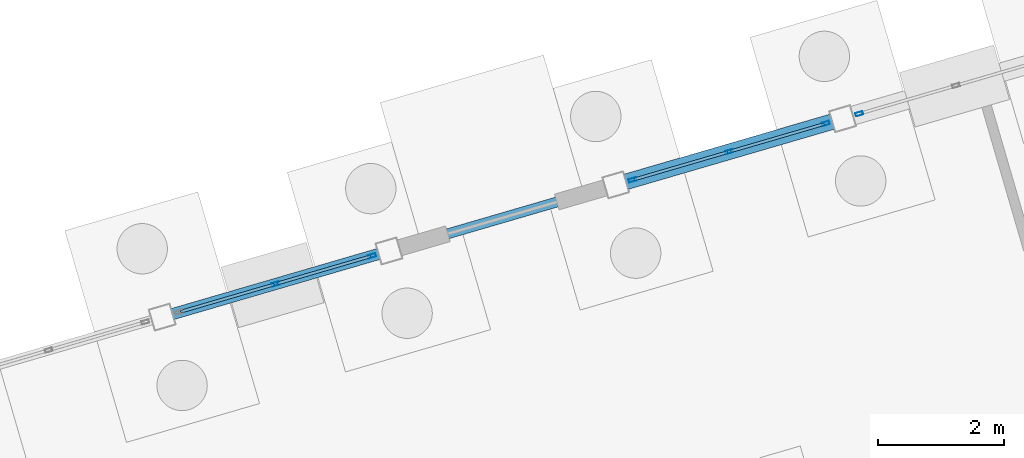
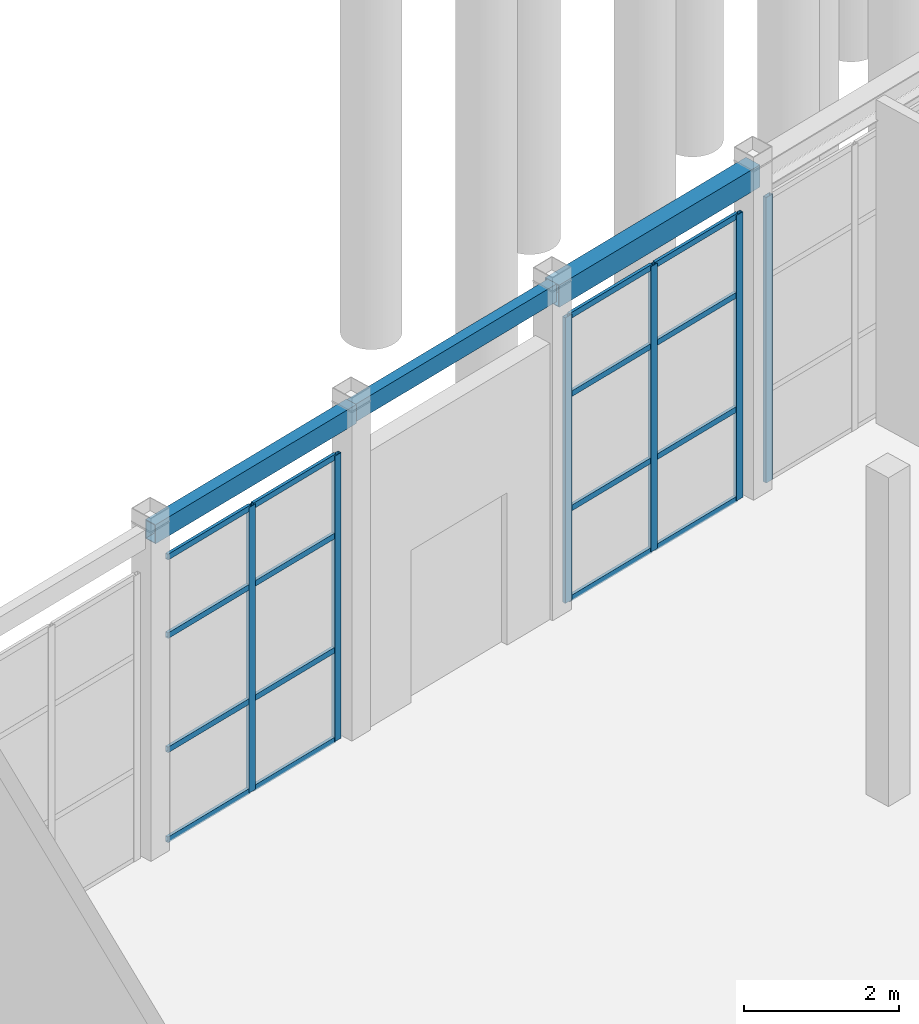
# One storey, part 42 of 90: 22 members, 3 beams, 3 elements without a shape of their own.
"""IFC4 building model written with IfcOpenShell, lengths in metres."""

import ifcopenshell
import ifcopenshell.guid

model = None  # the IFC model being written
_history = None  # IfcOwnerHistory: only IFC2X3 demands one
_inside = {}  # id of a spatial element -> (the spatial element, [elements in it])
_under = {}  # id of a project, library or spatial element -> (it, [spatial elements below it])
_declared = {}  # id of a project -> (the project, [libraries it declares])
_typed = {}  # id of a type object -> (the type object, [elements of that type])
_made_of = {}  # id of a material, layer set ... -> (it, [elements and type objects made of it])


def new_model(schema):
    """Start an empty IFC model of exactly this schema.

    Asked for "IFC4X3", IfcOpenShell would pick the latest addendum, in which some entities
    have other attributes; the version numbers below select the first issue.
    IFC2X3 requires an IfcOwnerHistory on every rooted entity: one is made here for all.
    """
    global model, _history
    if schema == "IFC4X3":
        model = ifcopenshell.file(schema_version=(4, 3, 0, 0))
    else:
        model = ifcopenshell.file(schema=schema)
    _inside.clear()
    _under.clear()
    _declared.clear()
    _typed.clear()
    _made_of.clear()
    _history = None
    if model.schema == "IFC2X3":
        org = make("IfcOrganization", Name="unknown")
        user = make(
            "IfcPersonAndOrganization",
            ThePerson=make("IfcPerson", FamilyName="unknown"),
            TheOrganization=org,
        )
        app = make(
            "IfcApplication",
            ApplicationDeveloper=org,
            Version="unknown",
            ApplicationFullName="unknown",
            ApplicationIdentifier="unknown",
        )
        _history = make(
            "IfcOwnerHistory",
            OwningUser=user,
            OwningApplication=app,
            ChangeAction="ADDED",
            CreationDate=0,
        )
    return model


def make(cls, **values):
    """One entity of the class cls with the attributes given. An attribute that is None is left unset."""
    return model.create_entity(
        cls, **{name: value for name, value in values.items() if value is not None}
    )


def rooted(cls, **values):
    """An entity with a GlobalId (a new one), such as an element, a storey or a relation."""
    return make(cls, GlobalId=ifcopenshell.guid.new(), OwnerHistory=_history, **values)


def si_unit(unit_type, name, prefix=None):
    """IfcSIUnit, for example si_unit("LENGTHUNIT", "METRE", prefix="MILLI")."""
    return make("IfcSIUnit", UnitType=unit_type, Prefix=prefix, Name=name)


def assignment(units):
    """IfcUnitAssignment: the units of a project."""
    return None if units is None else make("IfcUnitAssignment", Units=units)


def point(xyz):
    """IfcCartesianPoint."""
    return None if xyz is None else make("IfcCartesianPoint", Coordinates=xyz)


def direction(xyz):
    """IfcDirection."""
    return None if xyz is None else make("IfcDirection", DirectionRatios=xyz)


def frame(location, z_axis=None, x_axis=None):
    """IfcAxis2Placement3D, a coordinate frame: its origin and axes. An axis left out is left unset."""
    return make(
        "IfcAxis2Placement3D",
        Location=point(location),
        Axis=direction(z_axis),
        RefDirection=direction(x_axis),
    )


def frame_2d(location, x_axis=None):
    """IfcAxis2Placement2D, a coordinate frame in the plane: its origin and x axis."""
    return make(
        "IfcAxis2Placement2D", Location=point(location), RefDirection=direction(x_axis)
    )


def origin():
    """The frame at (0, 0, 0) with its axes left unset."""
    return frame((0.0, 0.0, 0.0))


def origin_2d():
    """The frame at (0, 0) in the plane with its x axis left unset."""
    return frame_2d((0.0, 0.0))


def place(relative_to, where):
    """IfcLocalPlacement: puts the frame where relative to a parent placement (None: the world)."""
    return make(
        "IfcLocalPlacement", PlacementRelTo=relative_to, RelativePlacement=where
    )


def context(
    kind, dimensions, precision=None, world=None, true_north=None, identifier=None
):
    """IfcGeometricRepresentationContext, for example the 3D "Model" context."""
    return make(
        "IfcGeometricRepresentationContext",
        ContextIdentifier=identifier,
        ContextType=kind,
        CoordinateSpaceDimension=dimensions,
        Precision=precision,
        WorldCoordinateSystem=world,
        TrueNorth=true_north,
    )


def subcontext(parent, identifier, kind, view, scale=None):
    """IfcGeometricRepresentationSubContext, for example "Body" below "Model"."""
    return make(
        "IfcGeometricRepresentationSubContext",
        ContextIdentifier=identifier,
        ContextType=kind,
        ParentContext=parent,
        TargetScale=scale,
        TargetView=view,
    )


def project(units=None, contexts=None):
    """IfcProject with its units and contexts."""
    return rooted(
        "IfcProject",
        Name="project",
        RepresentationContexts=contexts,
        UnitsInContext=assignment(units),
    )


def spatial(cls, under=None, at=None, **own):
    """A site, building, storey or space (cls), placed at a placement, below another one or the project."""
    s = rooted(cls, ObjectPlacement=at, **own)
    if under is not None:
        _under.setdefault(under.id(), (under, []))[1].append(s)
    return s


def profile(cls, at=None, kind="AREA", **sizes):
    """A parametric profile (cls). Its sizes go by their IFC names, for example OverallWidth=200.0."""
    return make(cls, ProfileType=kind, Position=at, **sizes)


def hollow_rectangle(**sizes):
    """IfcRectangleHollowProfileDef."""
    return profile("IfcRectangleHollowProfileDef", **sizes)


def extrude(swept, where, along, depth):
    """IfcExtrudedAreaSolid: the profile swept, set in the frame where, extruded along a direction by depth."""
    return make(
        "IfcExtrudedAreaSolid",
        SweptArea=swept,
        Position=where,
        ExtrudedDirection=direction(along),
        Depth=depth,
    )


def shape(context_of_items, identifier, shape_type, items):
    """IfcShapeRepresentation: the items that make up one representation, for example the "Body"."""
    return make(
        "IfcShapeRepresentation",
        ContextOfItems=context_of_items,
        RepresentationIdentifier=identifier,
        RepresentationType=shape_type,
        Items=items,
    )


def material(Name=None, Category=None):
    """IfcMaterial."""
    return make("IfcMaterial", Name=Name, Category=Category)


def layer(
    of_material, thickness, ventilated=None, Name=None, Category=None, Priority=None
):
    """IfcMaterialLayer: one layer of a wall or slab, of a material (None: an air gap)."""
    return make(
        "IfcMaterialLayer",
        Material=of_material,
        LayerThickness=thickness,
        IsVentilated=ventilated,
        Name=Name,
        Category=Category,
        Priority=Priority,
    )


def layer_set(layers, Name=None):
    """IfcMaterialLayerSet."""
    return make("IfcMaterialLayerSet", MaterialLayers=layers, LayerSetName=Name)


def material_profile(
    of_material, cross_section, Name=None, Category=None, Priority=None
):
    """IfcMaterialProfile: a cross section and its material."""
    return make(
        "IfcMaterialProfile",
        Name=Name,
        Material=of_material,
        Profile=cross_section,
        Priority=Priority,
        Category=Category,
    )


def profile_set(profiles, Name=None, composite=None):
    """IfcMaterialProfileSet."""
    return make(
        "IfcMaterialProfileSet",
        Name=Name,
        MaterialProfiles=profiles,
        CompositeProfile=composite,
    )


def made_of(thing, what):
    """Note that an element or type object is made of a material, layer set ...; save() writes the relation."""
    if what is not None:
        _made_of.setdefault(what.id(), (what, []))[1].append(thing)
    return thing


def type_object(cls, material=None, **own):
    """A type object (cls), such as IfcWallType, which elements share."""
    return made_of(rooted(cls, **own), material)


def element(
    cls,
    number,
    at=None,
    inside=None,
    cuts=None,
    type_object=None,
    material=None,
    context=None,
    identifier="Body",
    shape_type=None,
    held_by="IfcProductDefinitionShape",
    body=None,
    shapes=None,
    **own,
):
    """One element of the class cls, such as IfcWall. Its Tag is "e" and its number.

    at: its placement. inside: the storey or other place that contains it. cuts: it is an
    opening in that element (IfcRelVoidsElement). A single representation is given by context,
    identifier, shape_type and body (its items); several are given by shapes. held_by: the class
    of the entity that holds the representations. save() writes the other relations.
    """
    e = rooted(cls, Tag="e%d" % number, ObjectPlacement=at, **own)
    if body is not None:
        shapes = [shape(context, identifier, shape_type, body)]
    if shapes is not None:
        e.Representation = make(held_by, Representations=shapes)
    if inside is not None:
        _inside.setdefault(inside.id(), (inside, []))[1].append(e)
    if cuts is not None:
        rooted(
            "IfcRelVoidsElement", RelatingBuildingElement=cuts, RelatedOpeningElement=e
        )
    if type_object is not None:
        _typed.setdefault(type_object.id(), (type_object, []))[1].append(e)
    return made_of(e, material)


def aggregate(whole, parts):
    """IfcRelAggregates: a whole, such as a stair, and the parts it consists of."""
    return rooted("IfcRelAggregates", RelatingObject=whole, RelatedObjects=parts)


def save(model, path):
    """Write the relations noted so far, then the file.

    IfcRelAggregates (storeys below a building ...), IfcRelContainedInSpatialStructure (elements
    in a storey), IfcRelDefinesByType, IfcRelAssociatesMaterial and IfcRelDeclares: one each for
    every whole, place, type object, material and project.
    """
    for whole, parts in _under.values():
        aggregate(whole, parts)
    for where, things in _inside.values():
        rooted(
            "IfcRelContainedInSpatialStructure",
            RelatedElements=things,
            RelatingStructure=where,
        )
    for kind, things in _typed.values():
        rooted("IfcRelDefinesByType", RelatedObjects=things, RelatingType=kind)
    for what, things in _made_of.values():
        rooted("IfcRelAssociatesMaterial", RelatedObjects=things, RelatingMaterial=what)
    for by, libraries in _declared.values():
        rooted("IfcRelDeclares", RelatingContext=by, RelatedDefinitions=libraries)
    model.write(path)


model = new_model("IFC4")

# Units and contexts
model_context = context("Model", 3, precision=1e-05, world=origin(), true_north=direction((0.0, 1.0)))
body_context = subcontext(model_context, "Body", "Model", "MODEL_VIEW")
ifc_project = project(units=[si_unit("LENGTHUNIT", "METRE"), si_unit("AREAUNIT", "SQUARE_METRE"), si_unit("VOLUMEUNIT", "CUBIC_METRE"), si_unit("PLANEANGLEUNIT", "RADIAN"), si_unit("MASSUNIT", "GRAM", prefix="KILO")], contexts=[model_context])

# Site, building, storey
site_placement = place(None, origin())
site = spatial("IfcSite", under=ifc_project, at=site_placement, CompositionType="ELEMENT")
building_placement = place(site_placement, origin())
building = spatial("IfcBuilding", under=site, at=building_placement, Name="Canggui Botanical Conservatory", CompositionType="ELEMENT")
storey_placement = place(building_placement, origin())
storey = spatial("IfcBuildingStorey", under=building, at=storey_placement, Name="L01", CompositionType="ELEMENT", Elevation=0.0)

# Beams
ifc_material_1 = material(Name="Steel Q355B", Category="steel")
ifc_material_profile_1 = material_profile(ifc_material_1, hollow_rectangle(XDim=0.179931640625, YDim=0.300048828125, WallThickness=0.010009765625, at=origin_2d()), Name="RHS 180x300x10")
ifc_profile_set_1 = profile_set([ifc_material_profile_1], Name="Steel Q355B")
beam_type_1 = type_object("IfcBeamType", Name="BM-GL13", PredefinedType="BEAM", material=ifc_profile_set_1)
beam_1_placement = place(storey_placement, frame((33.199951171875, 77.10009765625, 5.02490234375), z_axis=(0.960016039924, 0.279945000113, 0.0), x_axis=(-0.279945000113, 0.960016039924, 0.0)))
element("IfcBeam", 1, at=beam_1_placement, inside=storey, type_object=beam_type_1, Name="Conservatory Skywalk Perimeter Girder V1-07", PredefinedType="BEAM", context=body_context, shape_type="SweptSolid", body=[
    extrude(hollow_rectangle(XDim=0.179931640625, YDim=0.300048828125, WallThickness=0.010009765625, at=origin_2d()), origin(), (0.0, 0.0, 1.0), 3.75),
])
ifc_material_profile_2 = material_profile(ifc_material_1, hollow_rectangle(XDim=0.159912109375, YDim=0.280029296875, WallThickness=0.010009765625, at=origin_2d()), Name="RHS 160x280x10")
ifc_profile_set_2 = profile_set([ifc_material_profile_2], Name="Steel Q355B")
beam_type_2 = type_object("IfcBeamType", Name="BM-GL14", PredefinedType="BEAM", material=ifc_profile_set_2)
beam_2_placement = place(storey_placement, frame((36.800048828125, 78.14990234375, 5.034912109375), z_axis=(0.959993437014, 0.280022500685, 0.0), x_axis=(-0.280022500685, 0.959993437014, 0.0)))
element("IfcBeam", 2, at=beam_2_placement, inside=storey, type_object=beam_type_2, Name="Conservatory Skywalk Perimeter Girder V1-08", PredefinedType="BEAM", context=body_context, shape_type="SweptSolid", body=[
    extrude(hollow_rectangle(XDim=0.159912109375, YDim=0.280029296875, WallThickness=0.010009765625, at=origin_2d()), origin(), (0.0, 0.0, 1.0), 3.749755859375),
])
ifc_material_profile_3 = material_profile(ifc_material_1, hollow_rectangle(XDim=0.25, YDim=0.35009765625, WallThickness=0.011962890625, at=origin_2d()), Name="RHS 250x350x12")
ifc_profile_set_3 = profile_set([ifc_material_profile_3], Name="Steel Q355B")
beam_type_3 = type_object("IfcBeamType", Name="BM-GL15", PredefinedType="BEAM", material=ifc_profile_set_3)
beam_3_placement = place(storey_placement, frame((40.39990234375, 79.199951171875, 5.0), z_axis=(0.959998541695, 0.280004999853, 0.0), x_axis=(-0.280004999853, 0.959998541695, 0.0)))
element("IfcBeam", 3, at=beam_3_placement, inside=storey, type_object=beam_type_3, Name="Conservatory Skywalk Perimeter Girder V1-09", PredefinedType="BEAM", context=body_context, shape_type="SweptSolid", body=[
    extrude(hollow_rectangle(XDim=0.25, YDim=0.35009765625, WallThickness=0.011962890625, at=origin_2d()), origin(), (0.0, 0.0, 1.0), 3.75),
])

# Curtain wall, members
ifc_material_2 = material(Name="Thermally Broken Aluminium", Category="aluminium")
ifc_layer = layer(ifc_material_2, 0.1201171875, Name="Thermally Broken Aluminium", Category="aluminium")
ifc_layer_set = layer_set([ifc_layer], Name="Thermally Broken Aluminium")
curtain_wall_type = type_object("IfcCurtainWallType", Name="CW-STICK-B", PredefinedType="USERDEFINED", material=ifc_layer_set)
curtain_wall_1_placement = place(storey_placement, origin())
curtain_wall_1 = element("IfcCurtainWall", 4, at=curtain_wall_1_placement, inside=storey, type_object=curtain_wall_type, Name="Facade Curtain Wall CW-CONS-L01-V1-07", ObjectType="STICK GLAZED WALL", PredefinedType="USERDEFINED")
ifc_material_profile_4 = material_profile(ifc_material_2, hollow_rectangle(XDim=0.054931640625, YDim=0.1201171875, WallThickness=0.0029296875, at=origin_2d()), Name="CWM 55x120x3")
ifc_profile_set_4 = profile_set([ifc_material_profile_4], Name="Thermally Broken Aluminium")
member_type_1 = type_object("IfcMemberType", Name="CWM-05", PredefinedType="MULLION", material=ifc_profile_set_4)
member_1_placement = place(storey_placement, frame((35.0, 77.625, 0.0), z_axis=(0.0, 0.0, 1.0), x_axis=(-0.279999999995, 0.960000000002, 0.0)))
member_1 = element("IfcMember", 5, at=member_1_placement, type_object=member_type_1, Name="CW-05 mullion 2", PredefinedType="MULLION", context=body_context, shape_type="SweptSolid", body=[
    extrude(hollow_rectangle(XDim=0.054931640625, YDim=0.1201171875, WallThickness=0.0029296875, at=origin_2d()), origin(), (0.0, 0.0, 1.0), 4.5),
])
member_2_placement = place(storey_placement, frame((36.53369140625, 78.072265625, 0.0), z_axis=(0.0, 0.0, 1.0), x_axis=(-0.279999999995, 0.960000000002, 0.0)))
member_2 = element("IfcMember", 6, at=member_2_placement, type_object=member_type_1, Name="CW-05 mullion 3", PredefinedType="MULLION", context=body_context, shape_type="SweptSolid", body=[
    extrude(hollow_rectangle(XDim=0.054931640625, YDim=0.1201171875, WallThickness=0.0029296875, at=origin_2d()), origin(), (0.0, 0.0, 1.0), 4.5),
])

curtain_wall_2_placement = place(storey_placement, origin())
curtain_wall_2 = element("IfcCurtainWall", 7, at=curtain_wall_2_placement, inside=storey, type_object=curtain_wall_type, Name="Facade Curtain Wall CW-CONS-L01-V1-09", ObjectType="STICK GLAZED WALL", PredefinedType="USERDEFINED")
member_3_placement = place(storey_placement, frame((40.66650390625, 79.277587890625, 0.0), z_axis=(0.0, 0.0, 1.0), x_axis=(-0.279999999995, 0.960000000002, 0.0)))
member_3 = element("IfcMember", 8, at=member_3_placement, type_object=member_type_1, Name="CW-05 mullion 1", PredefinedType="MULLION", context=body_context, shape_type="SweptSolid", body=[
    extrude(hollow_rectangle(XDim=0.054931640625, YDim=0.1201171875, WallThickness=0.0029296875, at=origin_2d()), origin(), (0.0, 0.0, 1.0), 4.5),
])
member_4_placement = place(storey_placement, frame((42.199951171875, 79.72509765625, 0.0), z_axis=(0.0, 0.0, 1.0), x_axis=(-0.279999999995, 0.960000000002, 0.0)))
member_4 = element("IfcMember", 9, at=member_4_placement, type_object=member_type_1, Name="CW-05 mullion 2", PredefinedType="MULLION", context=body_context, shape_type="SweptSolid", body=[
    extrude(hollow_rectangle(XDim=0.054931640625, YDim=0.1201171875, WallThickness=0.0029296875, at=origin_2d()), origin(), (0.0, 0.0, 1.0), 4.5),
])
member_5_placement = place(storey_placement, frame((43.733642578125, 80.17236328125, 0.0), z_axis=(0.0, 0.0, 1.0), x_axis=(-0.279999999995, 0.960000000002, 0.0)))
member_5 = element("IfcMember", 10, at=member_5_placement, type_object=member_type_1, Name="CW-05 mullion 3", PredefinedType="MULLION", context=body_context, shape_type="SweptSolid", body=[
    extrude(hollow_rectangle(XDim=0.054931640625, YDim=0.1201171875, WallThickness=0.0029296875, at=origin_2d()), origin(), (0.0, 0.0, 1.0), 4.5),
])

# Curtain wall, member
curtain_wall_3_placement = place(storey_placement, origin())
curtain_wall_3 = element("IfcCurtainWall", 11, at=curtain_wall_3_placement, inside=storey, type_object=curtain_wall_type, Name="Facade Curtain Wall CW-CONS-L01-V1-10", ObjectType="STICK GLAZED WALL", PredefinedType="USERDEFINED")
member_6_placement = place(storey_placement, frame((44.266357421875, 80.32763671875, 0.0), z_axis=(0.0, 0.0, 1.0), x_axis=(-0.279999999995, 0.960000000002, 0.0)))
member_6 = element("IfcMember", 12, at=member_6_placement, type_object=member_type_1, Name="CW-05 mullion 1", PredefinedType="MULLION", context=body_context, shape_type="SweptSolid", body=[
    extrude(hollow_rectangle(XDim=0.054931640625, YDim=0.1201171875, WallThickness=0.0029296875, at=origin_2d()), origin(), (0.0, 0.0, 1.0), 4.5),
])
aggregate(curtain_wall_3, [member_6])

# Member
ifc_material_profile_5 = material_profile(ifc_material_2, hollow_rectangle(XDim=0.044921875, YDim=0.090087890625, WallThickness=0.0029296875, at=origin_2d()), Name="CWT 45x90x3")
ifc_profile_set_5 = profile_set([ifc_material_profile_5], Name="Thermally Broken Aluminium")
member_type_2 = type_object("IfcMemberType", Name="CWT-05", PredefinedType="USERDEFINED", material=ifc_profile_set_5)
member_7_placement = place(storey_placement, frame((33.492919921875, 77.185302734375, 0.0224609375), z_axis=(0.959998227189, 0.280006078137, 0.0), x_axis=(-0.280006078137, 0.959998227189, 0.0)))
member_7 = element("IfcMember", 13, at=member_7_placement, type_object=member_type_2, Name="CW-05 transom 1.1", ObjectType="TRANSOM", PredefinedType="USERDEFINED", context=body_context, shape_type="SweptSolid", body=[
    extrude(hollow_rectangle(XDim=0.044921875, YDim=0.090087890625, WallThickness=0.0029296875, at=origin_2d()), origin(), (0.0, 0.0, 1.0), 1.54248046875),
])

member_8_placement = place(storey_placement, frame((33.492919921875, 77.185302734375, 1.43994140625), z_axis=(0.959998227189, 0.280006078137, 0.0), x_axis=(-0.280006078137, 0.959998227189, 0.0)))
member_8 = element("IfcMember", 14, at=member_8_placement, type_object=member_type_2, Name="CW-05 transom 1.2", ObjectType="TRANSOM", PredefinedType="USERDEFINED", context=body_context, shape_type="SweptSolid", body=[
    extrude(hollow_rectangle(XDim=0.044921875, YDim=0.090087890625, WallThickness=0.0029296875, at=origin_2d()), origin(), (0.0, 0.0, 1.0), 1.54248046875),
])

member_9_placement = place(storey_placement, frame((33.492919921875, 77.185302734375, 3.239990234375), z_axis=(0.959998227189, 0.280006078137, 0.0), x_axis=(-0.280006078137, 0.959998227189, 0.0)))
member_9 = element("IfcMember", 15, at=member_9_placement, type_object=member_type_2, Name="CW-05 transom 1.3", ObjectType="TRANSOM", PredefinedType="USERDEFINED", context=body_context, shape_type="SweptSolid", body=[
    extrude(hollow_rectangle(XDim=0.044921875, YDim=0.090087890625, WallThickness=0.0029296875, at=origin_2d()), origin(), (0.0, 0.0, 1.0), 1.54248046875),
])

member_10_placement = place(storey_placement, frame((33.492919921875, 77.185302734375, 4.4775390625), z_axis=(0.959998227189, 0.280006078137, 0.0), x_axis=(-0.280006078137, 0.959998227189, 0.0)))
member_10 = element("IfcMember", 16, at=member_10_placement, type_object=member_type_2, Name="CW-05 transom 1.4", ObjectType="TRANSOM", PredefinedType="USERDEFINED", context=body_context, shape_type="SweptSolid", body=[
    extrude(hollow_rectangle(XDim=0.044921875, YDim=0.090087890625, WallThickness=0.0029296875, at=origin_2d()), origin(), (0.0, 0.0, 1.0), 1.54248046875),
])

member_11_placement = place(storey_placement, frame((35.0263671875, 77.6328125, 0.0224609375), z_axis=(0.959998227189, 0.280006078137, 0.0), x_axis=(-0.280006078137, 0.959998227189, 0.0)))
member_11 = element("IfcMember", 17, at=member_11_placement, type_object=member_type_2, Name="CW-05 transom 2.1", ObjectType="TRANSOM", PredefinedType="USERDEFINED", context=body_context, shape_type="SweptSolid", body=[
    extrude(hollow_rectangle(XDim=0.044921875, YDim=0.090087890625, WallThickness=0.0029296875, at=origin_2d()), origin(), (0.0, 0.0, 1.0), 1.54248046875),
])

member_12_placement = place(storey_placement, frame((35.0263671875, 77.6328125, 1.43994140625), z_axis=(0.959998227189, 0.280006078137, 0.0), x_axis=(-0.280006078137, 0.959998227189, 0.0)))
member_12 = element("IfcMember", 18, at=member_12_placement, type_object=member_type_2, Name="CW-05 transom 2.2", ObjectType="TRANSOM", PredefinedType="USERDEFINED", context=body_context, shape_type="SweptSolid", body=[
    extrude(hollow_rectangle(XDim=0.044921875, YDim=0.090087890625, WallThickness=0.0029296875, at=origin_2d()), origin(), (0.0, 0.0, 1.0), 1.54248046875),
])

member_13_placement = place(storey_placement, frame((35.0263671875, 77.6328125, 3.239990234375), z_axis=(0.959998227189, 0.280006078137, 0.0), x_axis=(-0.280006078137, 0.959998227189, 0.0)))
member_13 = element("IfcMember", 19, at=member_13_placement, type_object=member_type_2, Name="CW-05 transom 2.3", ObjectType="TRANSOM", PredefinedType="USERDEFINED", context=body_context, shape_type="SweptSolid", body=[
    extrude(hollow_rectangle(XDim=0.044921875, YDim=0.090087890625, WallThickness=0.0029296875, at=origin_2d()), origin(), (0.0, 0.0, 1.0), 1.54248046875),
])

member_14_placement = place(storey_placement, frame((35.0263671875, 77.6328125, 4.4775390625), z_axis=(0.959998227189, 0.280006078137, 0.0), x_axis=(-0.280006078137, 0.959998227189, 0.0)))
member_14 = element("IfcMember", 20, at=member_14_placement, type_object=member_type_2, Name="CW-05 transom 2.4", ObjectType="TRANSOM", PredefinedType="USERDEFINED", context=body_context, shape_type="SweptSolid", body=[
    extrude(hollow_rectangle(XDim=0.044921875, YDim=0.090087890625, WallThickness=0.0029296875, at=origin_2d()), origin(), (0.0, 0.0, 1.0), 1.54248046875),
])

aggregate(curtain_wall_1, [member_1, member_2, member_7, member_8, member_9, member_10, member_11, member_12, member_13, member_14])

member_15_placement = place(storey_placement, frame((40.69287109375, 79.285400390625, 0.0224609375), z_axis=(0.959998227189, 0.280006078137, 0.0), x_axis=(-0.280006078137, 0.959998227189, 0.0)))
member_15 = element("IfcMember", 21, at=member_15_placement, type_object=member_type_2, Name="CW-05 transom 1.1", ObjectType="TRANSOM", PredefinedType="USERDEFINED", context=body_context, shape_type="SweptSolid", body=[
    extrude(hollow_rectangle(XDim=0.044921875, YDim=0.090087890625, WallThickness=0.0029296875, at=origin_2d()), origin(), (0.0, 0.0, 1.0), 1.54248046875),
])

member_16_placement = place(storey_placement, frame((40.69287109375, 79.285400390625, 1.43994140625), z_axis=(0.959998227189, 0.280006078137, 0.0), x_axis=(-0.280006078137, 0.959998227189, 0.0)))
member_16 = element("IfcMember", 22, at=member_16_placement, type_object=member_type_2, Name="CW-05 transom 1.2", ObjectType="TRANSOM", PredefinedType="USERDEFINED", context=body_context, shape_type="SweptSolid", body=[
    extrude(hollow_rectangle(XDim=0.044921875, YDim=0.090087890625, WallThickness=0.0029296875, at=origin_2d()), origin(), (0.0, 0.0, 1.0), 1.54248046875),
])

member_17_placement = place(storey_placement, frame((40.69287109375, 79.285400390625, 3.239990234375), z_axis=(0.959998227189, 0.280006078137, 0.0), x_axis=(-0.280006078137, 0.959998227189, 0.0)))
member_17 = element("IfcMember", 23, at=member_17_placement, type_object=member_type_2, Name="CW-05 transom 1.3", ObjectType="TRANSOM", PredefinedType="USERDEFINED", context=body_context, shape_type="SweptSolid", body=[
    extrude(hollow_rectangle(XDim=0.044921875, YDim=0.090087890625, WallThickness=0.0029296875, at=origin_2d()), origin(), (0.0, 0.0, 1.0), 1.54248046875),
])

member_18_placement = place(storey_placement, frame((40.69287109375, 79.285400390625, 4.4775390625), z_axis=(0.959998227189, 0.280006078137, 0.0), x_axis=(-0.280006078137, 0.959998227189, 0.0)))
member_18 = element("IfcMember", 24, at=member_18_placement, type_object=member_type_2, Name="CW-05 transom 1.4", ObjectType="TRANSOM", PredefinedType="USERDEFINED", context=body_context, shape_type="SweptSolid", body=[
    extrude(hollow_rectangle(XDim=0.044921875, YDim=0.090087890625, WallThickness=0.0029296875, at=origin_2d()), origin(), (0.0, 0.0, 1.0), 1.54248046875),
])

member_19_placement = place(storey_placement, frame((42.226318359375, 79.732666015625, 0.0224609375), z_axis=(0.96001063444, 0.279963536486, 0.0), x_axis=(-0.279963536486, 0.96001063444, 0.0)))
member_19 = element("IfcMember", 25, at=member_19_placement, type_object=member_type_2, Name="CW-05 transom 2.1", ObjectType="TRANSOM", PredefinedType="USERDEFINED", context=body_context, shape_type="SweptSolid", body=[
    extrude(hollow_rectangle(XDim=0.044921875, YDim=0.090087890625, WallThickness=0.0029296875, at=origin_2d()), origin(), (0.0, 0.0, 1.0), 1.542724609375),
])

member_20_placement = place(storey_placement, frame((42.226318359375, 79.732666015625, 1.43994140625), z_axis=(0.96001063444, 0.279963536486, 0.0), x_axis=(-0.279963536486, 0.96001063444, 0.0)))
member_20 = element("IfcMember", 26, at=member_20_placement, type_object=member_type_2, Name="CW-05 transom 2.2", ObjectType="TRANSOM", PredefinedType="USERDEFINED", context=body_context, shape_type="SweptSolid", body=[
    extrude(hollow_rectangle(XDim=0.044921875, YDim=0.090087890625, WallThickness=0.0029296875, at=origin_2d()), origin(), (0.0, 0.0, 1.0), 1.542724609375),
])

member_21_placement = place(storey_placement, frame((42.226318359375, 79.732666015625, 3.239990234375), z_axis=(0.96001063444, 0.279963536486, 0.0), x_axis=(-0.279963536486, 0.96001063444, 0.0)))
member_21 = element("IfcMember", 27, at=member_21_placement, type_object=member_type_2, Name="CW-05 transom 2.3", ObjectType="TRANSOM", PredefinedType="USERDEFINED", context=body_context, shape_type="SweptSolid", body=[
    extrude(hollow_rectangle(XDim=0.044921875, YDim=0.090087890625, WallThickness=0.0029296875, at=origin_2d()), origin(), (0.0, 0.0, 1.0), 1.542724609375),
])

member_22_placement = place(storey_placement, frame((42.226318359375, 79.732666015625, 4.4775390625), z_axis=(0.96001063444, 0.279963536486, 0.0), x_axis=(-0.279963536486, 0.96001063444, 0.0)))
member_22 = element("IfcMember", 28, at=member_22_placement, type_object=member_type_2, Name="CW-05 transom 2.4", ObjectType="TRANSOM", PredefinedType="USERDEFINED", context=body_context, shape_type="SweptSolid", body=[
    extrude(hollow_rectangle(XDim=0.044921875, YDim=0.090087890625, WallThickness=0.0029296875, at=origin_2d()), origin(), (0.0, 0.0, 1.0), 1.542724609375),
])

aggregate(curtain_wall_2, [member_3, member_4, member_5, member_15, member_16, member_17, member_18, member_19, member_20, member_21, member_22])

save(model, "model.ifc")
